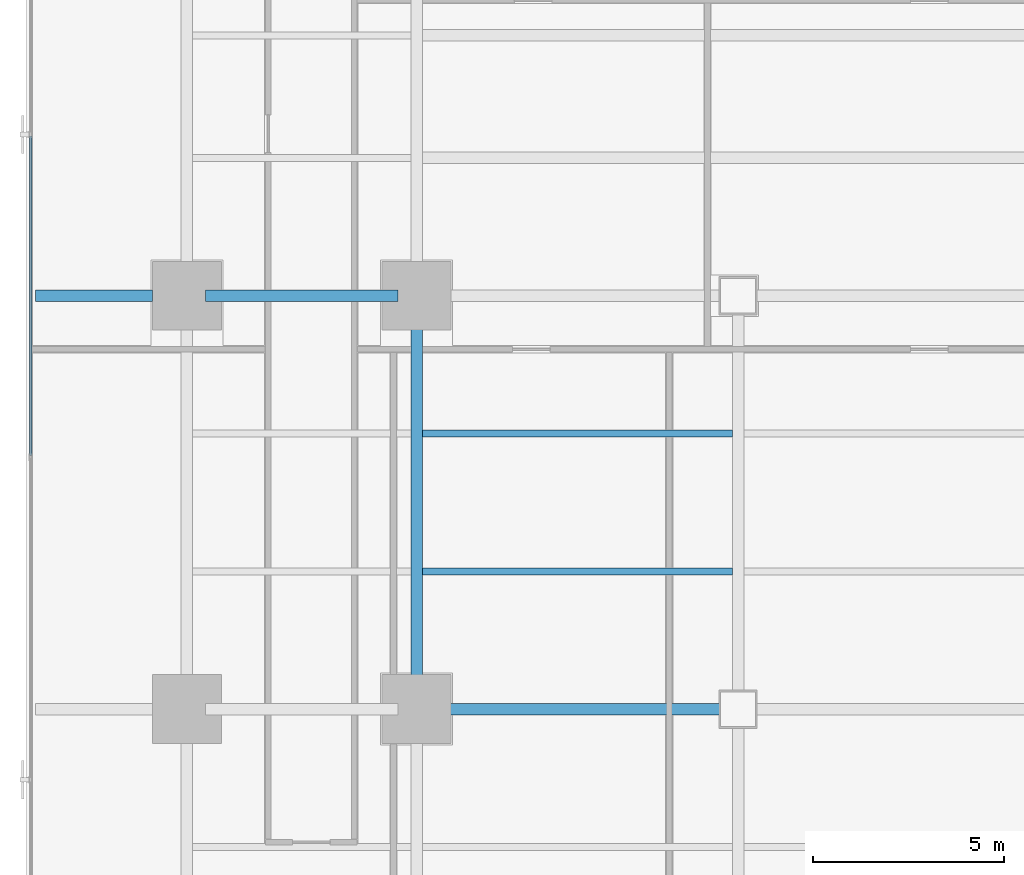
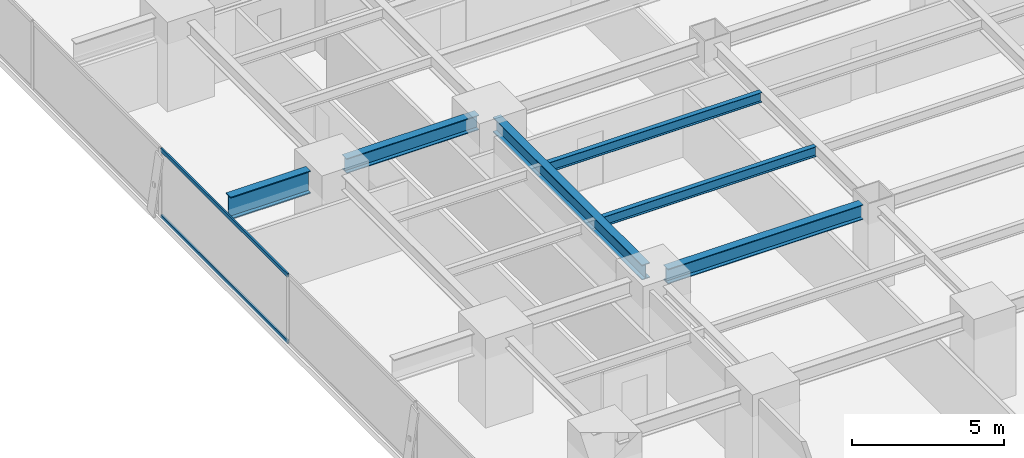
# One storey, part 8 of 32: 6 beams, 2 members, 1 element without a shape of its own.
"""IFC4 building model written with IfcOpenShell, lengths in metres."""

import ifcopenshell
import ifcopenshell.guid

model = None  # the IFC model being written
_history = None  # IfcOwnerHistory: only IFC2X3 demands one
_inside = {}  # id of a spatial element -> (the spatial element, [elements in it])
_under = {}  # id of a project, library or spatial element -> (it, [spatial elements below it])
_declared = {}  # id of a project -> (the project, [libraries it declares])
_typed = {}  # id of a type object -> (the type object, [elements of that type])
_made_of = {}  # id of a material, layer set ... -> (it, [elements and type objects made of it])


def new_model(schema):
    """Start an empty IFC model of exactly this schema.

    Asked for "IFC4X3", IfcOpenShell would pick the latest addendum, in which some entities
    have other attributes; the version numbers below select the first issue.
    IFC2X3 requires an IfcOwnerHistory on every rooted entity: one is made here for all.
    """
    global model, _history
    if schema == "IFC4X3":
        model = ifcopenshell.file(schema_version=(4, 3, 0, 0))
    else:
        model = ifcopenshell.file(schema=schema)
    _inside.clear()
    _under.clear()
    _declared.clear()
    _typed.clear()
    _made_of.clear()
    _history = None
    if model.schema == "IFC2X3":
        org = make("IfcOrganization", Name="unknown")
        user = make(
            "IfcPersonAndOrganization",
            ThePerson=make("IfcPerson", FamilyName="unknown"),
            TheOrganization=org,
        )
        app = make(
            "IfcApplication",
            ApplicationDeveloper=org,
            Version="unknown",
            ApplicationFullName="unknown",
            ApplicationIdentifier="unknown",
        )
        _history = make(
            "IfcOwnerHistory",
            OwningUser=user,
            OwningApplication=app,
            ChangeAction="ADDED",
            CreationDate=0,
        )
    return model


def make(cls, **values):
    """One entity of the class cls with the attributes given. An attribute that is None is left unset."""
    return model.create_entity(
        cls, **{name: value for name, value in values.items() if value is not None}
    )


def rooted(cls, **values):
    """An entity with a GlobalId (a new one), such as an element, a storey or a relation."""
    return make(cls, GlobalId=ifcopenshell.guid.new(), OwnerHistory=_history, **values)


def si_unit(unit_type, name, prefix=None):
    """IfcSIUnit, for example si_unit("LENGTHUNIT", "METRE", prefix="MILLI")."""
    return make("IfcSIUnit", UnitType=unit_type, Prefix=prefix, Name=name)


def assignment(units):
    """IfcUnitAssignment: the units of a project."""
    return None if units is None else make("IfcUnitAssignment", Units=units)


def point(xyz):
    """IfcCartesianPoint."""
    return None if xyz is None else make("IfcCartesianPoint", Coordinates=xyz)


def direction(xyz):
    """IfcDirection."""
    return None if xyz is None else make("IfcDirection", DirectionRatios=xyz)


def frame(location, z_axis=None, x_axis=None):
    """IfcAxis2Placement3D, a coordinate frame: its origin and axes. An axis left out is left unset."""
    return make(
        "IfcAxis2Placement3D",
        Location=point(location),
        Axis=direction(z_axis),
        RefDirection=direction(x_axis),
    )


def frame_2d(location, x_axis=None):
    """IfcAxis2Placement2D, a coordinate frame in the plane: its origin and x axis."""
    return make(
        "IfcAxis2Placement2D", Location=point(location), RefDirection=direction(x_axis)
    )


def origin():
    """The frame at (0, 0, 0) with its axes left unset."""
    return frame((0.0, 0.0, 0.0))


def origin_2d():
    """The frame at (0, 0) in the plane with its x axis left unset."""
    return frame_2d((0.0, 0.0))


def place(relative_to, where):
    """IfcLocalPlacement: puts the frame where relative to a parent placement (None: the world)."""
    return make(
        "IfcLocalPlacement", PlacementRelTo=relative_to, RelativePlacement=where
    )


def context(
    kind, dimensions, precision=None, world=None, true_north=None, identifier=None
):
    """IfcGeometricRepresentationContext, for example the 3D "Model" context."""
    return make(
        "IfcGeometricRepresentationContext",
        ContextIdentifier=identifier,
        ContextType=kind,
        CoordinateSpaceDimension=dimensions,
        Precision=precision,
        WorldCoordinateSystem=world,
        TrueNorth=true_north,
    )


def subcontext(parent, identifier, kind, view, scale=None):
    """IfcGeometricRepresentationSubContext, for example "Body" below "Model"."""
    return make(
        "IfcGeometricRepresentationSubContext",
        ContextIdentifier=identifier,
        ContextType=kind,
        ParentContext=parent,
        TargetScale=scale,
        TargetView=view,
    )


def project(units=None, contexts=None):
    """IfcProject with its units and contexts."""
    return rooted(
        "IfcProject",
        Name="project",
        RepresentationContexts=contexts,
        UnitsInContext=assignment(units),
    )


def spatial(cls, under=None, at=None, **own):
    """A site, building, storey or space (cls), placed at a placement, below another one or the project."""
    s = rooted(cls, ObjectPlacement=at, **own)
    if under is not None:
        _under.setdefault(under.id(), (under, []))[1].append(s)
    return s


def profile(cls, at=None, kind="AREA", **sizes):
    """A parametric profile (cls). Its sizes go by their IFC names, for example OverallWidth=200.0."""
    return make(cls, ProfileType=kind, Position=at, **sizes)


def hollow_rectangle(**sizes):
    """IfcRectangleHollowProfileDef."""
    return profile("IfcRectangleHollowProfileDef", **sizes)


def i_section(**sizes):
    """IfcIShapeProfileDef."""
    return profile("IfcIShapeProfileDef", **sizes)


def extrude(swept, where, along, depth):
    """IfcExtrudedAreaSolid: the profile swept, set in the frame where, extruded along a direction by depth."""
    return make(
        "IfcExtrudedAreaSolid",
        SweptArea=swept,
        Position=where,
        ExtrudedDirection=direction(along),
        Depth=depth,
    )


def shape(context_of_items, identifier, shape_type, items):
    """IfcShapeRepresentation: the items that make up one representation, for example the "Body"."""
    return make(
        "IfcShapeRepresentation",
        ContextOfItems=context_of_items,
        RepresentationIdentifier=identifier,
        RepresentationType=shape_type,
        Items=items,
    )


def source(mapping_origin, context_of_items, identifier, shape_type, items):
    """IfcRepresentationMap: a shape defined once, which mapped items show again and again."""
    return make(
        "IfcRepresentationMap",
        MappingOrigin=mapping_origin,
        MappedRepresentation=shape(context_of_items, identifier, shape_type, items),
    )


def transform(
    local_origin,
    x_axis=None,
    y_axis=None,
    z_axis=None,
    scale=None,
    scale2=None,
    scale3=None,
    uniform=True,
):
    """IfcCartesianTransformationOperator3D, or its non-uniform kind. x_axis, y_axis, z_axis: its Axis1, 2, 3."""
    if uniform:
        return make(
            "IfcCartesianTransformationOperator3D",
            Axis1=direction(x_axis),
            Axis2=direction(y_axis),
            LocalOrigin=point(local_origin),
            Scale=scale,
            Axis3=direction(z_axis),
        )
    return make(
        "IfcCartesianTransformationOperator3DnonUniform",
        Axis1=direction(x_axis),
        Axis2=direction(y_axis),
        LocalOrigin=point(local_origin),
        Scale=scale,
        Axis3=direction(z_axis),
        Scale2=scale2,
        Scale3=scale3,
    )


def mapped(mapping_source, mapping_target):
    """IfcMappedItem: shows the shape of a source again, moved by a transform."""
    return make(
        "IfcMappedItem", MappingSource=mapping_source, MappingTarget=mapping_target
    )


def material(Name=None, Category=None):
    """IfcMaterial."""
    return make("IfcMaterial", Name=Name, Category=Category)


def layer(
    of_material, thickness, ventilated=None, Name=None, Category=None, Priority=None
):
    """IfcMaterialLayer: one layer of a wall or slab, of a material (None: an air gap)."""
    return make(
        "IfcMaterialLayer",
        Material=of_material,
        LayerThickness=thickness,
        IsVentilated=ventilated,
        Name=Name,
        Category=Category,
        Priority=Priority,
    )


def layer_set(layers, Name=None):
    """IfcMaterialLayerSet."""
    return make("IfcMaterialLayerSet", MaterialLayers=layers, LayerSetName=Name)


def material_profile(
    of_material, cross_section, Name=None, Category=None, Priority=None
):
    """IfcMaterialProfile: a cross section and its material."""
    return make(
        "IfcMaterialProfile",
        Name=Name,
        Material=of_material,
        Profile=cross_section,
        Priority=Priority,
        Category=Category,
    )


def profile_set(profiles, Name=None, composite=None):
    """IfcMaterialProfileSet."""
    return make(
        "IfcMaterialProfileSet",
        Name=Name,
        MaterialProfiles=profiles,
        CompositeProfile=composite,
    )


def made_of(thing, what):
    """Note that an element or type object is made of a material, layer set ...; save() writes the relation."""
    if what is not None:
        _made_of.setdefault(what.id(), (what, []))[1].append(thing)
    return thing


def type_object(cls, material=None, **own):
    """A type object (cls), such as IfcWallType, which elements share."""
    return made_of(rooted(cls, **own), material)


def element(
    cls,
    number,
    at=None,
    inside=None,
    cuts=None,
    type_object=None,
    material=None,
    context=None,
    identifier="Body",
    shape_type=None,
    held_by="IfcProductDefinitionShape",
    body=None,
    shapes=None,
    **own,
):
    """One element of the class cls, such as IfcWall. Its Tag is "e" and its number.

    at: its placement. inside: the storey or other place that contains it. cuts: it is an
    opening in that element (IfcRelVoidsElement). A single representation is given by context,
    identifier, shape_type and body (its items); several are given by shapes. held_by: the class
    of the entity that holds the representations. save() writes the other relations.
    """
    e = rooted(cls, Tag="e%d" % number, ObjectPlacement=at, **own)
    if body is not None:
        shapes = [shape(context, identifier, shape_type, body)]
    if shapes is not None:
        e.Representation = make(held_by, Representations=shapes)
    if inside is not None:
        _inside.setdefault(inside.id(), (inside, []))[1].append(e)
    if cuts is not None:
        rooted(
            "IfcRelVoidsElement", RelatingBuildingElement=cuts, RelatedOpeningElement=e
        )
    if type_object is not None:
        _typed.setdefault(type_object.id(), (type_object, []))[1].append(e)
    return made_of(e, material)


def aggregate(whole, parts):
    """IfcRelAggregates: a whole, such as a stair, and the parts it consists of."""
    return rooted("IfcRelAggregates", RelatingObject=whole, RelatedObjects=parts)


def save(model, path):
    """Write the relations noted so far, then the file.

    IfcRelAggregates (storeys below a building ...), IfcRelContainedInSpatialStructure (elements
    in a storey), IfcRelDefinesByType, IfcRelAssociatesMaterial and IfcRelDeclares: one each for
    every whole, place, type object, material and project.
    """
    for whole, parts in _under.values():
        aggregate(whole, parts)
    for where, things in _inside.values():
        rooted(
            "IfcRelContainedInSpatialStructure",
            RelatedElements=things,
            RelatingStructure=where,
        )
    for kind, things in _typed.values():
        rooted("IfcRelDefinesByType", RelatedObjects=things, RelatingType=kind)
    for what, things in _made_of.values():
        rooted("IfcRelAssociatesMaterial", RelatedObjects=things, RelatingMaterial=what)
    for by, libraries in _declared.values():
        rooted("IfcRelDeclares", RelatingContext=by, RelatedDefinitions=libraries)
    model.write(path)


model = new_model("IFC4")

# Units and contexts
model_context = context("Model", 3, precision=1e-05, world=origin(), true_north=direction((0.0, 1.0)))
body_context = subcontext(model_context, "Body", "Model", "MODEL_VIEW")
ifc_project = project(units=[si_unit("LENGTHUNIT", "METRE"), si_unit("AREAUNIT", "SQUARE_METRE"), si_unit("VOLUMEUNIT", "CUBIC_METRE"), si_unit("PLANEANGLEUNIT", "RADIAN"), si_unit("MASSUNIT", "GRAM", prefix="KILO")], contexts=[model_context])

# Site, building, storey
site_placement = place(None, origin())
site = spatial("IfcSite", under=ifc_project, at=site_placement, CompositionType="ELEMENT")
building_placement = place(site_placement, origin())
building = spatial("IfcBuilding", under=site, at=building_placement, Name="Sumidabori Civic Tower", CompositionType="ELEMENT")
storey_placement = place(building_placement, frame((0.0, 0.0, 48.800048828125)))
storey = spatial("IfcBuildingStorey", under=building, at=storey_placement, Name="L12", CompositionType="ELEMENT", Elevation=48.800048828125)

# Beams
ifc_material_1 = material(Name="Steel SN490", Category="steel")
ifc_material_profile_1 = material_profile(ifc_material_1, i_section(OverallWidth=0.300048828125, OverallDepth=0.60009765625, WebThickness=0.015380859375, FlangeThickness=0.030029296875, at=origin_2d()), Name="HE 600 B")
ifc_profile_set_1 = profile_set([ifc_material_profile_1], Name="Steel SN490")
beam_type_1 = type_object("IfcBeamType", Name="BM-GIRD-600", PredefinedType="BEAM", material=ifc_profile_set_1)
shared_shape_1 = source(origin(), body_context, "Body", "SweptSolid", [
    extrude(i_section(OverallWidth=0.300048828125, OverallDepth=0.60009765625, WebThickness=0.015380859375, FlangeThickness=0.030029296875, at=origin_2d()), origin(), (0.0, 0.0, 1.0), 5.0400390625),
])
beam_1_placement = place(storey_placement, frame((-22.320068359375, 0.0, 3.06005859375), z_axis=(1.0, 0.0, 0.0), x_axis=(0.0, 1.0, 0.0)))
element("IfcBeam", 1, at=beam_1_placement, inside=storey, type_object=beam_type_1, Name="Primary Girder L12 GX-13", PredefinedType="BEAM", context=body_context, shape_type="MappedRepresentation", body=[
    mapped(shared_shape_1, transform((0.0, 0.0, 0.0), x_axis=(1.0, 0.0, 0.0), y_axis=(0.0, 1.0, 0.0), z_axis=(0.0, 0.0, 1.0), scale=1.0)),
])
shared_shape_2 = source(origin(), body_context, "Body", "SweptSolid", [
    extrude(i_section(OverallWidth=0.300048828125, OverallDepth=0.60009765625, WebThickness=0.015380859375, FlangeThickness=0.030029296875, at=origin_2d()), origin(), (0.0, 0.0, 1.0), 7.440185546875),
])
beam_2_placement = place(storey_placement, frame((-16.320068359375, -10.800048828125, 3.06005859375), z_axis=(1.0, 0.0, 0.0), x_axis=(0.0, 1.0, 0.0)))
element("IfcBeam", 2, at=beam_2_placement, inside=storey, type_object=beam_type_1, Name="Primary Girder L12 GX-08", PredefinedType="BEAM", context=body_context, shape_type="MappedRepresentation", body=[
    mapped(shared_shape_2, transform((0.0, 0.0, 0.0), x_axis=(1.0, 0.0, 0.0), y_axis=(0.0, 1.0, 0.0), z_axis=(0.0, 0.0, 1.0), scale=1.0)),
])
shared_shape_3 = source(origin(), body_context, "Body", "SweptSolid", [
    extrude(i_section(OverallWidth=0.300048828125, OverallDepth=0.60009765625, WebThickness=0.015380859375, FlangeThickness=0.030029296875, at=origin_2d()), origin(), (0.0, 0.0, 1.0), 9.840087890625),
])
beam_3_placement = place(storey_placement, frame((-16.800048828125, -10.320068359375, 3.06005859375), z_axis=(0.0, 1.0, 0.0), x_axis=(-1.0, 0.0, 0.0)))
element("IfcBeam", 3, at=beam_3_placement, inside=storey, type_object=beam_type_1, Name="Primary Girder L12 GY-26", PredefinedType="BEAM", context=body_context, shape_type="MappedRepresentation", body=[
    mapped(shared_shape_3, transform((0.0, 0.0, 0.0), x_axis=(1.0, 0.0, 0.0), y_axis=(0.0, 1.0, 0.0), z_axis=(0.0, 0.0, 1.0), scale=1.0)),
])
ifc_material_profile_2 = material_profile(ifc_material_1, i_section(OverallWidth=0.302001953125, OverallDepth=0.909912109375, WebThickness=0.02099609375, FlangeThickness=0.0400390625, at=origin_2d()), Name="HE 900 M")
ifc_profile_set_2 = profile_set([ifc_material_profile_2], Name="Steel SN490")
beam_type_2 = type_object("IfcBeamType", Name="BM-Z1-EDGE", PredefinedType="SPANDREL", material=ifc_profile_set_2)
shared_shape_4 = source(origin(), body_context, "Body", "SweptSolid", [
    extrude(i_section(OverallWidth=0.302001953125, OverallDepth=0.909912109375, WebThickness=0.02099609375, FlangeThickness=0.0400390625, at=origin_2d()), origin(), (0.0, 0.0, 1.0), 3.050048828125),
])
beam_4_placement = place(storey_placement, frame((-26.75, 0.0, 2.905029296875), z_axis=(1.0, 0.0, 0.0), x_axis=(0.0, 1.0, 0.0)))
element("IfcBeam", 4, at=beam_4_placement, inside=storey, type_object=beam_type_2, Name="Perimeter Overhang Beam L12 W-46", PredefinedType="SPANDREL", context=body_context, shape_type="MappedRepresentation", body=[
    mapped(shared_shape_4, transform((0.0, 0.0, 0.0), x_axis=(1.0, 0.0, 0.0), y_axis=(0.0, 1.0, 0.0), z_axis=(0.0, 0.0, 1.0), scale=1.0)),
])
ifc_material_profile_3 = material_profile(ifc_material_1, i_section(OverallWidth=0.179931640625, OverallDepth=0.39990234375, WebThickness=0.008544921875, FlangeThickness=0.013427734375, at=origin_2d()), Name="IPE 400")
ifc_profile_set_3 = profile_set([ifc_material_profile_3], Name="Steel SN490")
beam_type_3 = type_object("IfcBeamType", Name="BM-JST-400", PredefinedType="JOIST", material=ifc_profile_set_3)
shared_shape_5 = source(origin(), body_context, "Body", "SweptSolid", [
    extrude(i_section(OverallWidth=0.179931640625, OverallDepth=0.39990234375, WebThickness=0.008544921875, FlangeThickness=0.013427734375, at=origin_2d()), origin(), (0.0, 0.0, 1.0), 8.099853515625),
])
for number, where, z_axis, x_axis, name in (
    (5, (-16.64990234375, -7.199951171875, 3.159912109375), (1.0, 0.0, 0.0), (0.0, 1.0, 0.0), "South Bay Floor Joist L12 JSTS-65"),
    (6, (-16.64990234375, -3.60009765625, 3.159912109375), (1.0, 0.0, 0.0), (0.0, 1.0, 0.0), "South Bay Floor Joist L12 JSTS-69"),
):
    element("IfcBeam", number, at=place(storey_placement, frame(where, z_axis=z_axis, x_axis=x_axis)), inside=storey, type_object=beam_type_3, Name=name, PredefinedType="JOIST", context=body_context, shape_type="MappedRepresentation", body=[
        mapped(shared_shape_5, transform((0.0, 0.0, 0.0), x_axis=(1.0, 0.0, 0.0), y_axis=(0.0, 1.0, 0.0), z_axis=(0.0, 0.0, 1.0), scale=1.0)),
    ])

# Curtain wall, members
ifc_material_2 = material(Name="Anodised Bronze Aluminium AW-6063-T6", Category="aluminium")
ifc_layer = layer(ifc_material_2, 0.179931640625, Name="Anodised Bronze Aluminium AW-6063-T6")
ifc_layer_set = layer_set([ifc_layer], Name="Anodised Bronze Aluminium AW-6063-T6")
curtain_wall_type = type_object("IfcCurtainWallType", Name="CW-SYS-2", PredefinedType="NOTDEFINED", material=ifc_layer_set)
curtain_wall_placement = place(storey_placement, origin())
curtain_wall = element("IfcCurtainWall", 7, at=curtain_wall_placement, inside=storey, type_object=curtain_wall_type, Name="Curtain Wall CW:L12:R10", PredefinedType="NOTDEFINED")
ifc_material_profile_4 = material_profile(ifc_material_2, hollow_rectangle(XDim=0.06494140625, YDim=0.14990234375, WallThickness=0.0048828125, at=origin_2d()), Name="ALU TRANSOM 150x65")
ifc_profile_set_4 = profile_set([ifc_material_profile_4], Name="Anodised Bronze Aluminium AW-6063-T6")
member_type = type_object("IfcMemberType", Name="CW-TRN-150", PredefinedType="USERDEFINED", material=ifc_profile_set_4)
shared_shape_6 = source(origin(), body_context, "Body", "SweptSolid", [
    extrude(hollow_rectangle(XDim=0.06494140625, YDim=0.14990234375, WallThickness=0.0048828125, at=origin_2d()), origin(), (0.0, 0.0, 1.0), 8.35791015625),
])
member_1_placement = place(storey_placement, frame((-26.8798828125, 4.178955078125, 0.032470703125), z_axis=(0.0, -1.0, 0.0), x_axis=(1.0, 0.0, 0.0)))
member_1 = element("IfcMember", 8, at=member_1_placement, type_object=member_type, Name="CW-2 transom 3.1", ObjectType="TRANSOM", PredefinedType="USERDEFINED", context=body_context, shape_type="MappedRepresentation", body=[
    mapped(shared_shape_6, transform((0.0, 0.0, 0.0), x_axis=(1.0, 0.0, 0.0), y_axis=(0.0, 1.0, 0.0), z_axis=(0.0, 0.0, 1.0), scale=1.0)),
])
member_2_placement = place(storey_placement, frame((-26.8798828125, 4.178955078125, 2.70751953125), z_axis=(0.0, -1.0, 0.0), x_axis=(1.0, 0.0, 0.0)))
member_2 = element("IfcMember", 9, at=member_2_placement, type_object=member_type, Name="CW-2 transom 3.2", ObjectType="TRANSOM", PredefinedType="USERDEFINED", context=body_context, shape_type="MappedRepresentation", body=[
    mapped(shared_shape_6, transform((0.0, 0.0, 0.0), x_axis=(1.0, 0.0, 0.0), y_axis=(0.0, 1.0, 0.0), z_axis=(0.0, 0.0, 1.0), scale=1.0)),
])
aggregate(curtain_wall, [member_1, member_2])

save(model, "model.ifc")
